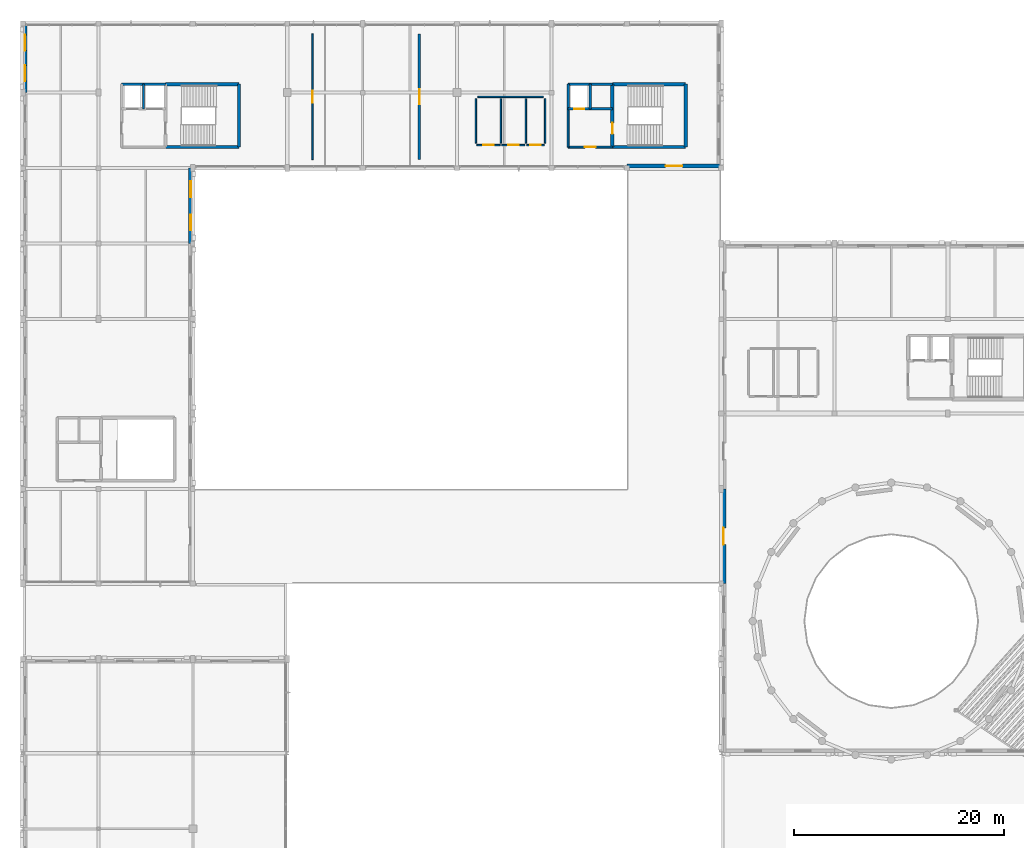
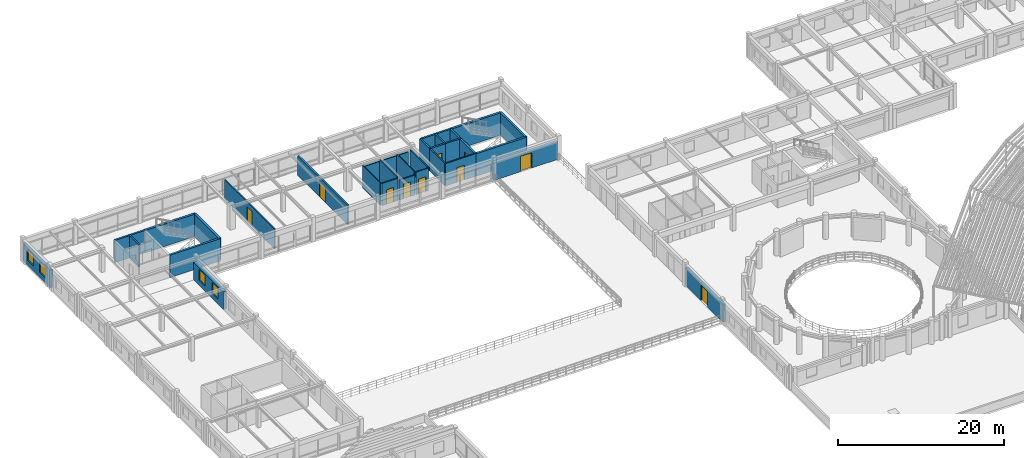
# One storey, part 51 of 74: 30 walls, 10 doors, 4 windows, 14 openings.
"""IFC4 building model written with IfcOpenShell, lengths in metres."""

from ifc_helpers import new_model, si_unit, direction, frame, frame_2d, origin, place, context, subcontext, project, spatial, rectangle, extrude, material, layer, layer_set, type_object, element, fill, save


model = new_model("IFC4")

# Units and contexts
model_context = context("Model", 3, precision=1e-05, world=origin(), true_north=direction((0.0, 1.0)))
body_context = subcontext(model_context, "Body", "Model", "MODEL_VIEW")
ifc_project = project(units=[si_unit("LENGTHUNIT", "METRE"), si_unit("AREAUNIT", "SQUARE_METRE"), si_unit("VOLUMEUNIT", "CUBIC_METRE"), si_unit("PLANEANGLEUNIT", "RADIAN"), si_unit("MASSUNIT", "GRAM", prefix="KILO")], contexts=[model_context])

# Site, building, storey
site_placement = place(None, origin())
site = spatial("IfcSite", under=ifc_project, at=site_placement, CompositionType="ELEMENT")
building_placement = place(site_placement, origin())
building = spatial("IfcBuilding", under=site, at=building_placement, Name="Clarverna Civic Hall", CompositionType="ELEMENT")
storey_placement = place(building_placement, frame((0.0, 0.0, 13.199951171875)))
storey = spatial("IfcBuildingStorey", under=building, at=storey_placement, Name="L03", CompositionType="ELEMENT", Elevation=13.199951171875)

# Wall, opening, door
ifc_material_1 = material(Name="Montjuic Limestone Ashlar Cladding", Category="masonry")
ifc_layer_1 = layer(ifc_material_1, 0.39990234375)
ifc_layer_set_1 = layer_set([ifc_layer_1], Name="Montjuic Limestone Ashlar Cladding")
wall_type_1 = type_object("IfcWallType", Name="EW-02", PredefinedType="SOLIDWALL", material=ifc_layer_set_1)
wall_1_placement = place(storey_placement, frame((66.824951171875, 62.60009765625, 0.0), z_axis=(0.0, 0.0, 1.0), x_axis=(0.0, 1.0, 0.0)))
wall_1 = element("IfcWall", 1, at=wall_1_placement, inside=storey, type_object=wall_type_1, Name="EW-02-170", PredefinedType="SOLIDWALL", context=body_context, shape_type="SweptSolid", body=[
    extrude(rectangle(XDim=9.0, YDim=0.39990234375, at=frame_2d((4.5, 0.0))), origin(), (0.0, 0.0, 1.0), 2.6201171875),
])
opening_1_placement = place(wall_1_placement, frame((3.699951171875, 0.0, 0.0)))
opening_1 = element("IfcOpeningElement", 2, at=opening_1_placement, cuts=wall_1, Name="Opening ED-04", PredefinedType="OPENING", context=body_context, shape_type="SweptSolid", body=[
    extrude(rectangle(XDim=1.60009765625, YDim=2.25, at=frame_2d((0.800048828125, 1.125))), frame((0.0, 0.2099609375, 0.0), z_axis=(0.0, -1.0, 0.0), x_axis=(1.0, 0.0, 0.0)), (0.0, 0.0, 1.0), 0.419921875),
])
ifc_material_2 = material(Name="Anodised Bronze Glazed Door")
door_type_1 = type_object("IfcDoorType", Name="ED-04", OperationType="DOUBLE_DOOR_SINGLE_SWING", PredefinedType="DOOR", material=ifc_material_2)
door_1_placement = place(opening_1_placement, origin())
door_1 = element("IfcDoor", 3, at=door_1_placement, inside=storey, type_object=door_type_1, Name="ED-04-030", OperationType="DOUBLE_DOOR_SINGLE_SWING", OverallHeight=2.25, OverallWidth=1.60009765625, PredefinedType="DOOR", context=body_context, shape_type="SweptSolid", body=[
    extrude(rectangle(XDim=1.60009765625, YDim=2.25, at=frame_2d((0.800048828125, 1.125))), frame((0.0, 0.02490234375, 0.0), z_axis=(0.0, -1.0, 0.0), x_axis=(1.0, 0.0, 0.0)), (0.0, 0.0, 1.0), 0.050048828125),
])
fill(opening_1, door_1)

wall_2_placement = place(storey_placement, frame((66.574951171875, 102.39990234375, 0.0), z_axis=(0.0, 0.0, 1.0), x_axis=(-1.0, 0.0, 0.0)))
wall_2 = element("IfcWall", 4, at=wall_2_placement, inside=storey, type_object=wall_type_1, Name="EW-02-179", PredefinedType="SOLIDWALL", context=body_context, shape_type="SweptSolid", body=[
    extrude(rectangle(XDim=8.974853515625, YDim=0.39990234375, at=frame_2d((4.4873046875, 0.0))), origin(), (0.0, 0.0, 1.0), 2.580078125),
])
opening_2_placement = place(wall_2_placement, frame((3.6875, 0.0, 0.0)))
opening_2 = element("IfcOpeningElement", 5, at=opening_2_placement, cuts=wall_2, Name="Opening ED-04", PredefinedType="OPENING", context=body_context, shape_type="SweptSolid", body=[
    extrude(rectangle(XDim=1.60009765625, YDim=2.25, at=frame_2d((0.800048828125, 1.125))), frame((0.0, 0.2099609375, 0.0), z_axis=(0.0, -1.0, 0.0), x_axis=(1.0, 0.0, 0.0)), (0.0, 0.0, 1.0), 0.419921875),
])
door_2_placement = place(opening_2_placement, origin())
door_2 = element("IfcDoor", 6, at=door_2_placement, inside=storey, type_object=door_type_1, Name="ED-04-034", OperationType="DOUBLE_DOOR_SINGLE_SWING", OverallHeight=2.25, OverallWidth=1.60009765625, PredefinedType="DOOR", context=body_context, shape_type="SweptSolid", body=[
    extrude(rectangle(XDim=1.60009765625, YDim=2.25, at=frame_2d((0.800048828125, 1.125))), frame((0.0, 0.02490234375, 0.0), z_axis=(0.0, -1.0, 0.0), x_axis=(1.0, 0.0, 0.0)), (0.0, 0.0, 1.0), 0.050048828125),
])
fill(opening_2, door_2)

# Wall, openings, windows
wall_3_placement = place(storey_placement, frame((16.0, 102.199951171875, 0.0), z_axis=(0.0, 0.0, 1.0), x_axis=(0.0, -1.0, 0.0)))
wall_3 = element("IfcWall", 7, at=wall_3_placement, inside=storey, type_object=wall_type_1, Name="EW-02-180", PredefinedType="SOLIDWALL", context=body_context, shape_type="SweptSolid", body=[
    extrude(rectangle(XDim=7.199951171875, YDim=0.39990234375, at=frame_2d((3.60009765625, 0.0))), origin(), (0.0, 0.0, 1.0), 2.6201171875),
])
opening_3_placement = place(wall_3_placement, frame((1.26611328125, 0.0, 0.75)))
opening_3 = element("IfcOpeningElement", 8, at=opening_3_placement, cuts=wall_3, Name="Opening WN-14", PredefinedType="OPENING", context=body_context, shape_type="SweptSolid", body=[
    extrude(rectangle(XDim=1.5, YDim=1.60009765625, at=frame_2d((0.75, 0.800048828125))), frame((0.0, 0.2099609375, 0.0), z_axis=(0.0, -1.0, 0.0), x_axis=(1.0, 0.0, 0.0)), (0.0, 0.0, 1.0), 0.419921875),
])
opening_4_placement = place(wall_3_placement, frame((4.43408203125, 0.0, 0.75)))
opening_4 = element("IfcOpeningElement", 9, at=opening_4_placement, cuts=wall_3, Name="Opening WN-14", PredefinedType="OPENING", context=body_context, shape_type="SweptSolid", body=[
    extrude(rectangle(XDim=1.5, YDim=1.60009765625, at=frame_2d((0.75, 0.800048828125))), frame((0.0, 0.2099609375, 0.0), z_axis=(0.0, -1.0, 0.0), x_axis=(1.0, 0.0, 0.0)), (0.0, 0.0, 1.0), 0.419921875),
])
ifc_material_3 = material(Name="Solar-Control Argon Low-E Double Glazing", Category="glass")
window_type = type_object("IfcWindowType", Name="WN-14", PartitioningType="DOUBLE_PANEL_HORIZONTAL", PredefinedType="WINDOW", material=ifc_material_3)
window_1_placement = place(opening_3_placement, origin())
window_1 = element("IfcWindow", 10, at=window_1_placement, inside=storey, type_object=window_type, Name="WN-14-160", OverallHeight=1.60009765625, OverallWidth=1.5, PartitioningType="DOUBLE_PANEL_HORIZONTAL", PredefinedType="WINDOW", context=body_context, shape_type="SweptSolid", body=[
    extrude(rectangle(XDim=1.5, YDim=1.60009765625, at=frame_2d((0.75, 0.800048828125))), frame((0.0, 0.030029296875, 0.0), z_axis=(0.0, -1.0, 0.0), x_axis=(1.0, 0.0, 0.0)), (0.0, 0.0, 1.0), 0.06005859375),
])
fill(opening_3, window_1)
window_2_placement = place(opening_4_placement, origin())
window_2 = element("IfcWindow", 11, at=window_2_placement, inside=storey, type_object=window_type, Name="WN-14-161", OverallHeight=1.60009765625, OverallWidth=1.5, PartitioningType="DOUBLE_PANEL_HORIZONTAL", PredefinedType="WINDOW", context=body_context, shape_type="SweptSolid", body=[
    extrude(rectangle(XDim=1.5, YDim=1.60009765625, at=frame_2d((0.75, 0.800048828125))), frame((0.0, 0.030029296875, 0.0), z_axis=(0.0, -1.0, 0.0), x_axis=(1.0, 0.0, 0.0)), (0.0, 0.0, 1.0), 0.06005859375),
])
fill(opening_4, window_2)

wall_4_placement = place(storey_placement, frame((0.199951171875, 109.39990234375, 0.0), z_axis=(0.0, 0.0, 1.0), x_axis=(0.0, 1.0, 0.0)))
wall_4 = element("IfcWall", 12, at=wall_4_placement, inside=storey, type_object=wall_type_1, Name="EW-02-191", PredefinedType="SOLIDWALL", context=body_context, shape_type="SweptSolid", body=[
    extrude(rectangle(XDim=6.60009765625, YDim=0.39990234375, at=frame_2d((3.300048828125, 0.0))), origin(), (0.0, 0.0, 1.0), 2.6201171875),
])
opening_5_placement = place(wall_4_placement, frame((1.097900390625, 0.0, 0.75)))
opening_5 = element("IfcOpeningElement", 13, at=opening_5_placement, cuts=wall_4, Name="Opening WN-14", PredefinedType="OPENING", context=body_context, shape_type="SweptSolid", body=[
    extrude(rectangle(XDim=1.5, YDim=1.60009765625, at=frame_2d((0.75, 0.800048828125))), frame((0.0, 0.2099609375, 0.0), z_axis=(0.0, -1.0, 0.0), x_axis=(1.0, 0.0, 0.0)), (0.0, 0.0, 1.0), 0.419921875),
])
opening_6_placement = place(wall_4_placement, frame((4.001953125, 0.0, 0.75)))
opening_6 = element("IfcOpeningElement", 14, at=opening_6_placement, cuts=wall_4, Name="Opening WN-14", PredefinedType="OPENING", context=body_context, shape_type="SweptSolid", body=[
    extrude(rectangle(XDim=1.5, YDim=1.60009765625, at=frame_2d((0.75, 0.800048828125))), frame((0.0, 0.2099609375, 0.0), z_axis=(0.0, -1.0, 0.0), x_axis=(1.0, 0.0, 0.0)), (0.0, 0.0, 1.0), 0.419921875),
])
window_3_placement = place(opening_5_placement, origin())
window_3 = element("IfcWindow", 15, at=window_3_placement, inside=storey, type_object=window_type, Name="WN-14-180", OverallHeight=1.60009765625, OverallWidth=1.5, PartitioningType="DOUBLE_PANEL_HORIZONTAL", PredefinedType="WINDOW", context=body_context, shape_type="SweptSolid", body=[
    extrude(rectangle(XDim=1.5, YDim=1.60009765625, at=frame_2d((0.75, 0.800048828125))), frame((0.0, 0.030029296875, 0.0), z_axis=(0.0, -1.0, 0.0), x_axis=(1.0, 0.0, 0.0)), (0.0, 0.0, 1.0), 0.06005859375),
])
fill(opening_5, window_3)
window_4_placement = place(opening_6_placement, origin())
window_4 = element("IfcWindow", 16, at=window_4_placement, inside=storey, type_object=window_type, Name="WN-14-181", OverallHeight=1.60009765625, OverallWidth=1.5, PartitioningType="DOUBLE_PANEL_HORIZONTAL", PredefinedType="WINDOW", context=body_context, shape_type="SweptSolid", body=[
    extrude(rectangle(XDim=1.5, YDim=1.60009765625, at=frame_2d((0.75, 0.800048828125))), frame((0.0, 0.030029296875, 0.0), z_axis=(0.0, -1.0, 0.0), x_axis=(1.0, 0.0, 0.0)), (0.0, 0.0, 1.0), 0.06005859375),
])
fill(opening_6, window_4)

# Wall, opening, door
ifc_material_4 = material(Name="Acoustic Gypsum Plasterboard Partition", Category="gypsum")
ifc_layer_2 = layer(ifc_material_4, 0.159912109375)
ifc_layer_set_2 = layer_set([ifc_layer_2], Name="Acoustic Gypsum Plasterboard Partition")
wall_type_2 = type_object("IfcWallType", Name="PW-01", PredefinedType="PARTITIONING", material=ifc_layer_set_2)
wall_5_placement = place(storey_placement, frame((27.60009765625, 103.0, 0.0), z_axis=(0.0, 0.0, 1.0), x_axis=(0.0, 1.0, 0.0)))
wall_5 = element("IfcWall", 17, at=wall_5_placement, inside=storey, type_object=wall_type_2, Name="PW-01-006", PredefinedType="PARTITIONING", context=body_context, shape_type="SweptSolid", body=[
    extrude(rectangle(XDim=12.0, YDim=0.159912109375, at=frame_2d((6.0, 0.0))), origin(), (0.0, 0.0, 1.0), 2.900146484375),
])
opening_7_placement = place(wall_5_placement, frame((5.425048828125, 0.0, 0.0)))
opening_7 = element("IfcOpeningElement", 18, at=opening_7_placement, cuts=wall_5, Name="Opening ID-03", PredefinedType="OPENING", context=body_context, shape_type="SweptSolid", body=[
    extrude(rectangle(XDim=1.14990234375, YDim=2.199951171875, at=frame_2d((0.574951171875, 1.10009765625))), frame((0.0, 0.08984375, 0.0), z_axis=(0.0, -1.0, 0.0), x_axis=(1.0, 0.0, 0.0)), (0.0, 0.0, 1.0), 0.179931640625),
])
ifc_material_5 = material(Name="European Oak Veneered Acoustic Timber Door", Category="wood")
door_type_2 = type_object("IfcDoorType", Name="ID-03", OperationType="NOTDEFINED", PredefinedType="DOOR", material=ifc_material_5)
door_3_placement = place(opening_7_placement, origin())
door_3 = element("IfcDoor", 19, at=door_3_placement, inside=storey, type_object=door_type_2, Name="ID-03-004", OperationType="SINGLE_SWING_RIGHT", OverallHeight=2.199951171875, OverallWidth=1.14990234375, PredefinedType="DOOR", context=body_context, shape_type="SweptSolid", body=[
    extrude(rectangle(XDim=1.14990234375, YDim=2.199951171875, at=frame_2d((0.574951171875, 1.10009765625))), frame((0.0, 0.02490234375, 0.0), z_axis=(0.0, -1.0, 0.0), x_axis=(1.0, 0.0, 0.0)), (0.0, 0.0, 1.0), 0.050048828125),
])
fill(opening_7, door_3)

# Walls
ifc_material_6 = material(Name="Ceramic Brick and Plaster Wet-Room Partition", Category="masonry")
ifc_layer_3 = layer(ifc_material_6, 0.139892578125)
ifc_layer_set_3 = layer_set([ifc_layer_3], Name="Ceramic Brick and Plaster Wet-Room Partition")
wall_type_3 = type_object("IfcWallType", Name="PW-02", PredefinedType="PARTITIONING", material=ifc_layer_set_3)
wall_6_placement = place(storey_placement, frame((43.3798828125, 109.0, 0.0), z_axis=(0.0, 0.0, 1.0), x_axis=(1.0, 0.0, 0.0)))
element("IfcWall", 20, at=wall_6_placement, inside=storey, type_object=wall_type_3, Name="PW-02-145", PredefinedType="PARTITIONING", context=body_context, shape_type="SweptSolid", body=[
    extrude(rectangle(XDim=6.240234375, YDim=0.139892578125, at=frame_2d((3.1201171875, 0.0))), origin(), (0.0, 0.0, 1.0), 2.93994140625),
])
for number, where, z_axis, x_axis, name in (
    (21, (43.199951171875, 104.580078125, 0.0), (0.0, 0.0, 1.0), (0.0, 1.0, 0.0), "PW-02-146"),
    (22, (49.800048828125, 104.580078125, 0.0), (0.0, 0.0, 1.0), (0.0, 1.0, 0.0), "PW-02-147"),
    (23, (45.575927734375, 104.580078125, 0.0), (0.0, 0.0, 1.0), (0.0, 1.0, 0.0), "PW-02-148"),
    (24, (47.951904296875, 104.580078125, 0.0), (0.0, 0.0, 1.0), (0.0, 1.0, 0.0), "PW-02-149"),
):
    element("IfcWall", number, at=place(storey_placement, frame(where, z_axis=z_axis, x_axis=x_axis)), inside=storey, type_object=wall_type_3, Name=name, PredefinedType="PARTITIONING", context=body_context, shape_type="SweptSolid", body=[
        extrude(rectangle(XDim=4.239990234375, YDim=0.139892578125, at=frame_2d((2.1201171875, 0.0))), origin(), (0.0, 0.0, 1.0), 3.300048828125),
    ])

# Wall, opening, door
wall_7_placement = place(storey_placement, frame((43.280029296875, 104.39990234375, 0.0), z_axis=(0.0, 0.0, 1.0), x_axis=(1.0, 0.0, 0.0)))
wall_7 = element("IfcWall", 25, at=wall_7_placement, inside=storey, type_object=wall_type_3, Name="PW-02-150", PredefinedType="PARTITIONING", context=body_context, shape_type="SweptSolid", body=[
    extrude(rectangle(XDim=2.216064453125, YDim=0.139892578125, at=frame_2d((1.10791015625, 0.0))), origin(), (0.0, 0.0, 1.0), 3.300048828125),
])
opening_8_placement = place(wall_7_placement, frame((0.60791015625, 0.0, 0.0)))
opening_8 = element("IfcOpeningElement", 26, at=opening_8_placement, cuts=wall_7, Name="Opening ID-02", PredefinedType="OPENING", context=body_context, shape_type="SweptSolid", body=[
    extrude(rectangle(XDim=1.0, YDim=2.14990234375, at=frame_2d((0.5, 1.074951171875))), frame((0.0, 0.079833984375, 0.0), z_axis=(0.0, -1.0, 0.0), x_axis=(1.0, 0.0, 0.0)), (0.0, 0.0, 1.0), 0.159912109375),
])
door_type_3 = type_object("IfcDoorType", Name="ID-02", OperationType="NOTDEFINED", PredefinedType="DOOR", material=ifc_material_5)
door_4_placement = place(opening_8_placement, origin())
door_4 = element("IfcDoor", 27, at=door_4_placement, inside=storey, type_object=door_type_3, Name="ID-02-055", OperationType="SINGLE_SWING_LEFT", OverallHeight=2.14990234375, OverallWidth=1.0, PredefinedType="DOOR", context=body_context, shape_type="SweptSolid", body=[
    extrude(rectangle(XDim=1.0, YDim=2.14990234375, at=frame_2d((0.5, 1.074951171875))), frame((0.0, 0.02490234375, 0.0), z_axis=(0.0, -1.0, 0.0), x_axis=(1.0, 0.0, 0.0)), (0.0, 0.0, 1.0), 0.050048828125),
])
fill(opening_8, door_4)

wall_8_placement = place(storey_placement, frame((45.656005859375, 104.39990234375, 0.0), z_axis=(0.0, 0.0, 1.0), x_axis=(1.0, 0.0, 0.0)))
wall_8 = element("IfcWall", 28, at=wall_8_placement, inside=storey, type_object=wall_type_3, Name="PW-02-151", PredefinedType="PARTITIONING", context=body_context, shape_type="SweptSolid", body=[
    extrude(rectangle(XDim=2.216064453125, YDim=0.139892578125, at=frame_2d((1.10791015625, 0.0))), origin(), (0.0, 0.0, 1.0), 2.93994140625),
])
opening_9_placement = place(wall_8_placement, frame((0.60791015625, 0.0, 0.0)))
opening_9 = element("IfcOpeningElement", 29, at=opening_9_placement, cuts=wall_8, Name="Opening ID-02", PredefinedType="OPENING", context=body_context, shape_type="SweptSolid", body=[
    extrude(rectangle(XDim=1.0, YDim=2.14990234375, at=frame_2d((0.5, 1.074951171875))), frame((0.0, 0.079833984375, 0.0), z_axis=(0.0, -1.0, 0.0), x_axis=(1.0, 0.0, 0.0)), (0.0, 0.0, 1.0), 0.159912109375),
])
door_5_placement = place(opening_9_placement, origin())
door_5 = element("IfcDoor", 30, at=door_5_placement, inside=storey, type_object=door_type_3, Name="ID-02-056", OperationType="SINGLE_SWING_RIGHT", OverallHeight=2.14990234375, OverallWidth=1.0, PredefinedType="DOOR", context=body_context, shape_type="SweptSolid", body=[
    extrude(rectangle(XDim=1.0, YDim=2.14990234375, at=frame_2d((0.5, 1.074951171875))), frame((0.0, 0.02490234375, 0.0), z_axis=(0.0, -1.0, 0.0), x_axis=(1.0, 0.0, 0.0)), (0.0, 0.0, 1.0), 0.050048828125),
])
fill(opening_9, door_5)

wall_9_placement = place(storey_placement, frame((48.031982421875, 104.39990234375, 0.0), z_axis=(0.0, 0.0, 1.0), x_axis=(1.0, 0.0, 0.0)))
wall_9 = element("IfcWall", 31, at=wall_9_placement, inside=storey, type_object=wall_type_3, Name="PW-02-152", PredefinedType="PARTITIONING", context=body_context, shape_type="SweptSolid", body=[
    extrude(rectangle(XDim=1.68798828125, YDim=0.139892578125, at=frame_2d((0.843994140625, 0.0))), origin(), (0.0, 0.0, 1.0), 3.300048828125),
])
opening_10_placement = place(wall_9_placement, frame((0.343994140625, 0.0, 0.0)))
opening_10 = element("IfcOpeningElement", 32, at=opening_10_placement, cuts=wall_9, Name="Opening ID-02", PredefinedType="OPENING", context=body_context, shape_type="SweptSolid", body=[
    extrude(rectangle(XDim=1.0, YDim=2.14990234375, at=frame_2d((0.5, 1.074951171875))), frame((0.0, 0.079833984375, 0.0), z_axis=(0.0, -1.0, 0.0), x_axis=(1.0, 0.0, 0.0)), (0.0, 0.0, 1.0), 0.159912109375),
])
door_6_placement = place(opening_10_placement, origin())
door_6 = element("IfcDoor", 33, at=door_6_placement, inside=storey, type_object=door_type_3, Name="ID-02-057", OperationType="SINGLE_SWING_LEFT", OverallHeight=2.14990234375, OverallWidth=1.0, PredefinedType="DOOR", context=body_context, shape_type="SweptSolid", body=[
    extrude(rectangle(XDim=1.0, YDim=2.14990234375, at=frame_2d((0.5, 1.074951171875))), frame((0.0, 0.02490234375, 0.0), z_axis=(0.0, -1.0, 0.0), x_axis=(1.0, 0.0, 0.0)), (0.0, 0.0, 1.0), 0.050048828125),
])
fill(opening_10, door_6)

ifc_material_7 = material(Name="Aerated Concrete Masonry Blockwork", Category="masonry")
ifc_layer_4 = layer(ifc_material_7, 0.219970703125)
ifc_layer_set_4 = layer_set([ifc_layer_4], Name="Aerated Concrete Masonry Blockwork")
wall_type_4 = type_object("IfcWallType", Name="PW-05", PredefinedType="PARTITIONING", material=ifc_layer_set_4)
wall_10_placement = place(storey_placement, frame((37.800048828125, 103.0, 0.0), z_axis=(0.0, 0.0, 1.0), x_axis=(0.0, 1.0, 0.0)))
wall_10 = element("IfcWall", 34, at=wall_10_placement, inside=storey, type_object=wall_type_4, Name="PW-05-011", PredefinedType="PARTITIONING", context=body_context, shape_type="SweptSolid", body=[
    extrude(rectangle(XDim=12.0, YDim=0.219970703125, at=frame_2d((6.0, 0.0))), origin(), (0.0, 0.0, 1.0), 2.860107421875),
])
opening_11_placement = place(wall_10_placement, frame((5.27490234375, 0.0, 0.0)))
opening_11 = element("IfcOpeningElement", 35, at=opening_11_placement, cuts=wall_10, Name="Opening FD-01", PredefinedType="OPENING", context=body_context, shape_type="SweptSolid", body=[
    extrude(rectangle(XDim=1.449951171875, YDim=2.199951171875, at=frame_2d((0.72509765625, 1.10009765625))), frame((0.0, 0.119873046875, 0.0), z_axis=(0.0, -1.0, 0.0), x_axis=(1.0, 0.0, 0.0)), (0.0, 0.0, 1.0), 0.239990234375),
])
ifc_material_8 = material(Name="Acoustic Timber-Faced Fire Door", Category="wood")
door_type_4 = type_object("IfcDoorType", Name="FD-01", OperationType="DOUBLE_DOOR_SINGLE_SWING", PredefinedType="DOOR", material=ifc_material_8)
door_7_placement = place(opening_11_placement, origin())
door_7 = element("IfcDoor", 36, at=door_7_placement, inside=storey, type_object=door_type_4, Name="FD-01-013", OperationType="DOUBLE_DOOR_SINGLE_SWING", OverallHeight=2.199951171875, OverallWidth=1.449951171875, PredefinedType="DOOR", context=body_context, shape_type="SweptSolid", body=[
    extrude(rectangle(XDim=1.449951171875, YDim=2.199951171875, at=frame_2d((0.72509765625, 1.10009765625))), frame((0.0, 0.02490234375, 0.0), z_axis=(0.0, -1.0, 0.0), x_axis=(1.0, 0.0, 0.0)), (0.0, 0.0, 1.0), 0.050048828125),
])
fill(opening_11, door_7)

# Wall
ifc_material_9 = material(Name="Acoustic Gypsum Plasterboard on Twin Frame", Category="gypsum")
ifc_layer_5 = layer(ifc_material_9, 0.18994140625)
ifc_layer_set_5 = layer_set([ifc_layer_5], Name="Acoustic Gypsum Plasterboard on Twin Frame")
wall_type_5 = type_object("IfcWallType", Name="PW-06", PredefinedType="PARTITIONING", material=ifc_layer_set_5)
wall_11_placement = place(storey_placement, frame((52.0, 104.199951171875, 0.0), z_axis=(0.0, 0.0, 1.0), x_axis=(0.0, 1.0, 0.0)))
element("IfcWall", 37, at=wall_11_placement, inside=storey, type_object=wall_type_5, Name="PW-06-111", PredefinedType="PARTITIONING", context=body_context, shape_type="SweptSolid", body=[
    extrude(rectangle(XDim=3.650146484375, YDim=0.18994140625, at=frame_2d((1.8251953125, 0.0))), origin(), (0.0, 0.0, 1.0), 3.300048828125),
])

# Wall, opening, door
wall_12_placement = place(storey_placement, frame((52.0, 104.199951171875, 0.0), z_axis=(0.0, 0.0, 1.0), x_axis=(1.0, 0.0, 0.0)))
wall_12 = element("IfcWall", 38, at=wall_12_placement, inside=storey, type_object=wall_type_5, Name="PW-06-112", PredefinedType="PARTITIONING", context=body_context, shape_type="SweptSolid", body=[
    extrude(rectangle(XDim=4.199951171875, YDim=0.18994140625, at=frame_2d((2.10009765625, 0.0))), origin(), (0.0, 0.0, 1.0), 3.300048828125),
])
opening_12_placement = place(wall_12_placement, frame((1.574951171875, 0.0, 0.0)))
opening_12 = element("IfcOpeningElement", 39, at=opening_12_placement, cuts=wall_12, Name="Opening FD-02", PredefinedType="OPENING", context=body_context, shape_type="SweptSolid", body=[
    extrude(rectangle(XDim=1.050048828125, YDim=2.14990234375, at=frame_2d((0.52490234375, 1.074951171875))), frame((0.0, 0.10498046875, 0.0), z_axis=(0.0, -1.0, 0.0), x_axis=(1.0, 0.0, 0.0)), (0.0, 0.0, 1.0), 0.2099609375),
])
door_type_5 = type_object("IfcDoorType", Name="FD-02", OperationType="NOTDEFINED", PredefinedType="DOOR", material=ifc_material_8)
door_8_placement = place(opening_12_placement, origin())
door_8 = element("IfcDoor", 40, at=door_8_placement, inside=storey, type_object=door_type_5, Name="FD-02-103", OperationType="SINGLE_SWING_RIGHT", OverallHeight=2.14990234375, OverallWidth=1.050048828125, PredefinedType="DOOR", context=body_context, shape_type="SweptSolid", body=[
    extrude(rectangle(XDim=1.050048828125, YDim=2.14990234375, at=frame_2d((0.52490234375, 1.074951171875))), frame((0.0, 0.02490234375, 0.0), z_axis=(0.0, -1.0, 0.0), x_axis=(1.0, 0.0, 0.0)), (0.0, 0.0, 1.0), 0.050048828125),
])
fill(opening_12, door_8)

# Walls
ifc_material_10 = material(Name="Concrete C35/45", Category="concrete")
ifc_layer_6 = layer(ifc_material_10, 0.300048828125)
ifc_layer_set_6 = layer_set([ifc_layer_6], Name="Concrete C35/45")
wall_type_6 = type_object("IfcWallType", Name="SW-03", PredefinedType="SHEAR", material=ifc_layer_set_6)
wall_13_placement = place(storey_placement, frame((20.60009765625, 104.199951171875, 0.0), z_axis=(0.0, 0.0, 1.0), x_axis=(0.0, 1.0, 0.0)))
element("IfcWall", 41, at=wall_13_placement, inside=storey, type_object=wall_type_6, Name="SW-03-038", PredefinedType="SHEAR", context=body_context, shape_type="SweptSolid", body=[
    extrude(rectangle(XDim=6.0, YDim=0.300048828125, at=frame_2d((3.0, 0.0))), origin(), (0.0, 0.0, 1.0), 3.300048828125),
])
for number, where, z_axis, x_axis, name in (
    (42, (13.60009765625, 104.199951171875, 0.0), (0.0, 0.0, 1.0), (1.0, 0.0, 0.0), "SW-03-039"),
    (43, (13.60009765625, 110.199951171875, 0.0), (0.0, 0.0, 1.0), (1.0, 0.0, 0.0), "SW-03-040"),
):
    element("IfcWall", number, at=place(storey_placement, frame(where, z_axis=z_axis, x_axis=x_axis)), inside=storey, type_object=wall_type_6, Name=name, PredefinedType="SHEAR", context=body_context, shape_type="SweptSolid", body=[
        extrude(rectangle(XDim=7.0, YDim=0.300048828125, at=frame_2d((3.5, 0.0))), origin(), (0.0, 0.0, 1.0), 3.300048828125),
    ])
wall_14_placement = place(storey_placement, frame((9.39990234375, 110.199951171875, 0.0), z_axis=(0.0, 0.0, 1.0), x_axis=(1.0, 0.0, 0.0)))
element("IfcWall", 44, at=wall_14_placement, inside=storey, type_object=wall_type_6, Name="SW-03-041", PredefinedType="SHEAR", context=body_context, shape_type="SweptSolid", body=[
    extrude(rectangle(XDim=4.2001953125, YDim=0.239990234375, at=frame_2d((2.10009765625, 0.0))), origin(), (0.0, 0.0, 1.0), 3.300048828125),
])
wall_15_placement = place(storey_placement, frame((11.5, 107.85009765625, 0.0), z_axis=(0.0, 0.0, 1.0), x_axis=(0.0, 1.0, 0.0)))
element("IfcWall", 45, at=wall_15_placement, inside=storey, type_object=wall_type_6, Name="SW-03-043", PredefinedType="SHEAR", context=body_context, shape_type="SweptSolid", body=[
    extrude(rectangle(XDim=2.349853515625, YDim=0.199951171875, at=frame_2d((1.1748046875, 0.0))), origin(), (0.0, 0.0, 1.0), 3.300048828125),
])

# Wall, opening, door
wall_16_placement = place(storey_placement, frame((56.199951171875, 104.199951171875, 0.0), z_axis=(0.0, 0.0, 1.0), x_axis=(0.0, 1.0, 0.0)))
wall_16 = element("IfcWall", 46, at=wall_16_placement, inside=storey, type_object=wall_type_6, Name="SW-03-244", PredefinedType="SHEAR", context=body_context, shape_type="SweptSolid", body=[
    extrude(rectangle(XDim=6.0, YDim=0.300048828125, at=frame_2d((3.0, 0.0))), origin(), (0.0, 0.0, 1.0), 3.300048828125),
])
opening_13_placement = place(wall_16_placement, frame((1.27490234375, 0.0, 0.0)))
opening_13 = element("IfcOpeningElement", 47, at=opening_13_placement, cuts=wall_16, Name="Opening FD-02", PredefinedType="OPENING", context=body_context, shape_type="SweptSolid", body=[
    extrude(rectangle(XDim=1.050048828125, YDim=2.14990234375, at=frame_2d((0.52490234375, 1.074951171875))), frame((0.0, 0.159912109375, 0.0), z_axis=(0.0, -1.0, 0.0), x_axis=(1.0, 0.0, 0.0)), (0.0, 0.0, 1.0), 0.320068359375),
])
door_9_placement = place(opening_13_placement, origin())
door_9 = element("IfcDoor", 48, at=door_9_placement, inside=storey, type_object=door_type_5, Name="FD-02-102", OperationType="SINGLE_SWING_LEFT", OverallHeight=2.14990234375, OverallWidth=1.050048828125, PredefinedType="DOOR", context=body_context, shape_type="SweptSolid", body=[
    extrude(rectangle(XDim=1.050048828125, YDim=2.14990234375, at=frame_2d((0.52490234375, 1.074951171875))), frame((0.0, 0.02490234375, 0.0), z_axis=(0.0, -1.0, 0.0), x_axis=(1.0, 0.0, 0.0)), (0.0, 0.0, 1.0), 0.050048828125),
])
fill(opening_13, door_9)

# Walls
wall_17_placement = place(storey_placement, frame((63.199951171875, 104.199951171875, 0.0), z_axis=(0.0, 0.0, 1.0), x_axis=(0.0, 1.0, 0.0)))
element("IfcWall", 49, at=wall_17_placement, inside=storey, type_object=wall_type_6, Name="SW-03-245", PredefinedType="SHEAR", context=body_context, shape_type="SweptSolid", body=[
    extrude(rectangle(XDim=6.0, YDim=0.300048828125, at=frame_2d((3.0, 0.0))), origin(), (0.0, 0.0, 1.0), 3.300048828125),
])
for number, where, z_axis, x_axis, name in (
    (50, (56.199951171875, 104.199951171875, 0.0), (0.0, 0.0, 1.0), (1.0, 0.0, 0.0), "SW-03-246"),
    (51, (56.199951171875, 110.199951171875, 0.0), (0.0, 0.0, 1.0), (1.0, 0.0, 0.0), "SW-03-247"),
):
    element("IfcWall", number, at=place(storey_placement, frame(where, z_axis=z_axis, x_axis=x_axis)), inside=storey, type_object=wall_type_6, Name=name, PredefinedType="SHEAR", context=body_context, shape_type="SweptSolid", body=[
        extrude(rectangle(XDim=7.0, YDim=0.300048828125, at=frame_2d((3.5, 0.0))), origin(), (0.0, 0.0, 1.0), 3.300048828125),
    ])
wall_18_placement = place(storey_placement, frame((52.0, 110.199951171875, 0.0), z_axis=(0.0, 0.0, 1.0), x_axis=(1.0, 0.0, 0.0)))
element("IfcWall", 52, at=wall_18_placement, inside=storey, type_object=wall_type_6, Name="SW-03-248", PredefinedType="SHEAR", context=body_context, shape_type="SweptSolid", body=[
    extrude(rectangle(XDim=4.199951171875, YDim=0.239990234375, at=frame_2d((2.10009765625, 0.0))), origin(), (0.0, 0.0, 1.0), 3.300048828125),
])
wall_19_placement = place(storey_placement, frame((52.0, 107.85009765625, 0.0), z_axis=(0.0, 0.0, 1.0), x_axis=(0.0, 1.0, 0.0)))
element("IfcWall", 53, at=wall_19_placement, inside=storey, type_object=wall_type_6, Name="SW-03-249", PredefinedType="SHEAR", context=body_context, shape_type="SweptSolid", body=[
    extrude(rectangle(XDim=2.349853515625, YDim=0.239990234375, at=frame_2d((1.1748046875, 0.0))), origin(), (0.0, 0.0, 1.0), 3.300048828125),
])
wall_20_placement = place(storey_placement, frame((54.10009765625, 107.85009765625, 0.0), z_axis=(0.0, 0.0, 1.0), x_axis=(0.0, 1.0, 0.0)))
element("IfcWall", 54, at=wall_20_placement, inside=storey, type_object=wall_type_6, Name="SW-03-250", PredefinedType="SHEAR", context=body_context, shape_type="SweptSolid", body=[
    extrude(rectangle(XDim=2.349853515625, YDim=0.199951171875, at=frame_2d((1.1748046875, 0.0))), origin(), (0.0, 0.0, 1.0), 3.300048828125),
])

# Wall, opening, door
wall_21_placement = place(storey_placement, frame((52.0, 107.85009765625, 0.0), z_axis=(0.0, 0.0, 1.0), x_axis=(1.0, 0.0, 0.0)))
wall_21 = element("IfcWall", 55, at=wall_21_placement, inside=storey, type_object=wall_type_6, Name="SW-03-251", PredefinedType="SHEAR", context=body_context, shape_type="SweptSolid", body=[
    extrude(rectangle(XDim=2.10009765625, YDim=0.239990234375, at=frame_2d((1.050048828125, 0.0))), origin(), (0.0, 0.0, 1.0), 3.300048828125),
])
opening_14_placement = place(wall_21_placement, frame((0.550048828125, 0.0, 0.0)))
opening_14 = element("IfcOpeningElement", 56, at=opening_14_placement, cuts=wall_21, Name="Opening LD-01", PredefinedType="OPENING", context=body_context, shape_type="SweptSolid", body=[
    extrude(rectangle(XDim=1.0, YDim=2.10009765625, at=frame_2d((0.5, 1.050048828125))), frame((0.0, 0.1298828125, 0.0), z_axis=(0.0, -1.0, 0.0), x_axis=(1.0, 0.0, 0.0)), (0.0, 0.0, 1.0), 0.260009765625),
])
ifc_material_11 = material(Name="Brushed Bronze Stainless Lift Landing Door")
door_type_6 = type_object("IfcDoorType", Name="LD-01", OperationType="SLIDING_TO_LEFT", PredefinedType="DOOR", material=ifc_material_11)
door_10_placement = place(opening_14_placement, origin())
door_10 = element("IfcDoor", 57, at=door_10_placement, inside=storey, type_object=door_type_6, Name="LD-01-075", OperationType="SLIDING_TO_LEFT", OverallHeight=2.10009765625, OverallWidth=1.0, PredefinedType="DOOR", context=body_context, shape_type="SweptSolid", body=[
    extrude(rectangle(XDim=1.0, YDim=2.10009765625, at=frame_2d((0.5, 1.050048828125))), frame((0.0, 0.02490234375, 0.0), z_axis=(0.0, -1.0, 0.0), x_axis=(1.0, 0.0, 0.0)), (0.0, 0.0, 1.0), 0.050048828125),
])
fill(opening_14, door_10)

# Wall
wall_22_placement = place(storey_placement, frame((54.10009765625, 107.85009765625, 0.0), z_axis=(0.0, 0.0, 1.0), x_axis=(1.0, 0.0, 0.0)))
element("IfcWall", 58, at=wall_22_placement, inside=storey, type_object=wall_type_6, Name="SW-03-252", PredefinedType="SHEAR", context=body_context, shape_type="SweptSolid", body=[
    extrude(rectangle(XDim=2.099853515625, YDim=0.239990234375, at=frame_2d((1.0498046875, 0.0))), origin(), (0.0, 0.0, 1.0), 3.300048828125),
])

save(model, "model.ifc")
